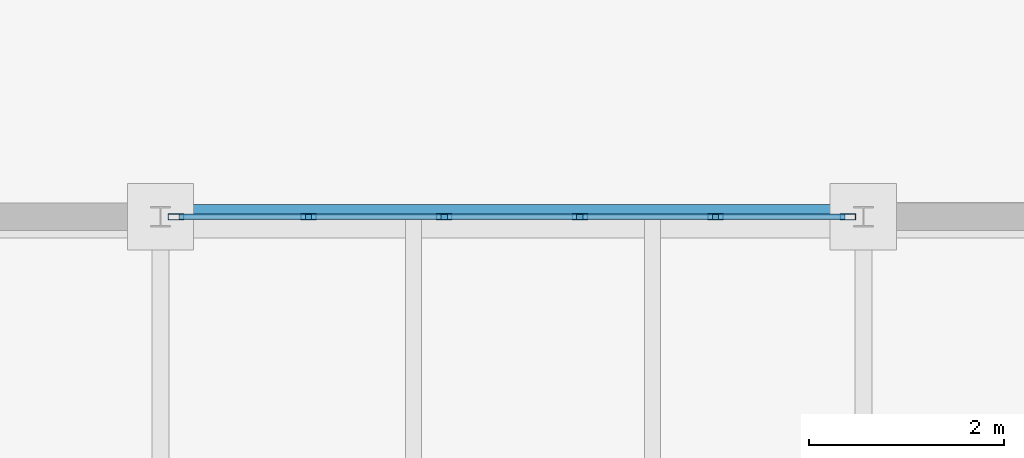
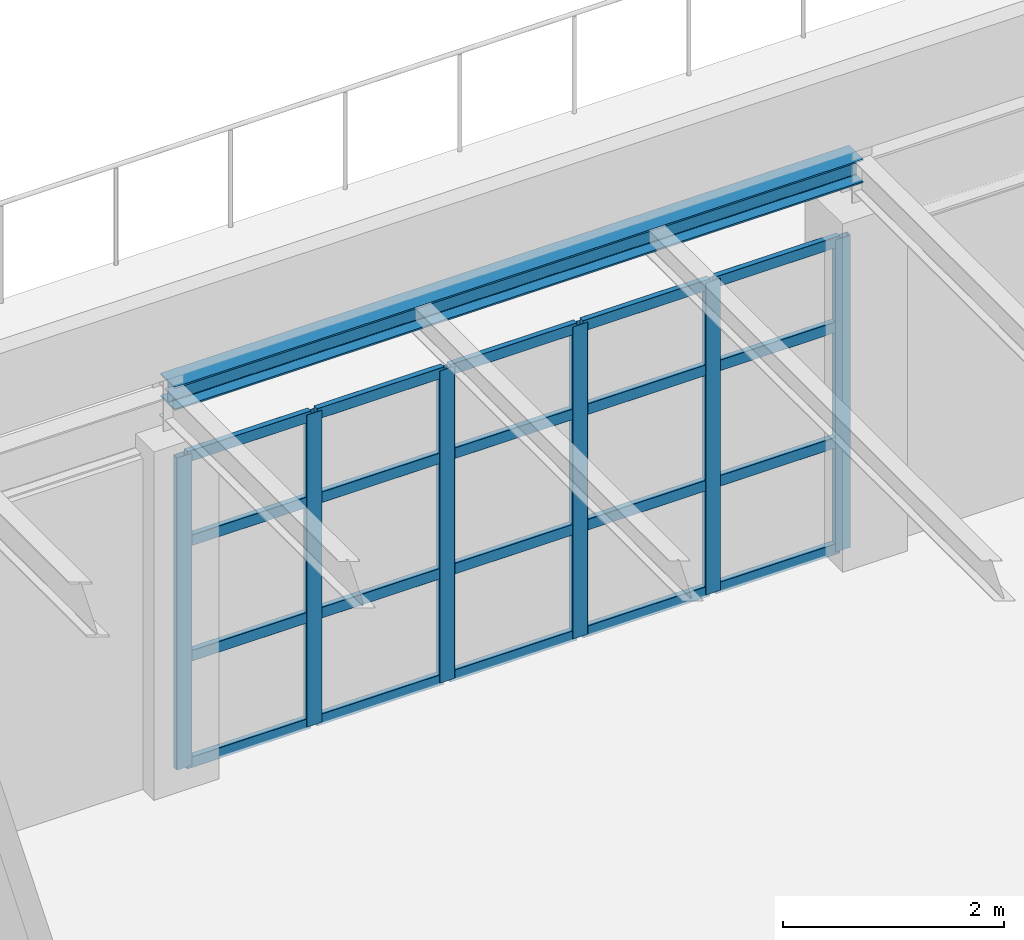
# One storey, part 33 of 43: 26 members, 1 beam, 1 element without a shape of its own.
"""IFC4 building model written with IfcOpenShell, lengths in metres."""

from ifc_helpers import new_model, si_unit, direction, frame, origin, origin_2d, place, context, subcontext, project, spatial, hollow_rectangle, i_section, extrude, material, layer, layer_set, material_profile, profile_set, type_object, element, aggregate, save


model = new_model("IFC4")

# Units and contexts
model_context = context("Model", 3, precision=1e-05, world=origin(), true_north=direction((0.0, 1.0)))
body_context = subcontext(model_context, "Body", "Model", "MODEL_VIEW")
ifc_project = project(units=[si_unit("LENGTHUNIT", "METRE"), si_unit("AREAUNIT", "SQUARE_METRE"), si_unit("VOLUMEUNIT", "CUBIC_METRE"), si_unit("PLANEANGLEUNIT", "RADIAN"), si_unit("MASSUNIT", "GRAM", prefix="KILO")], contexts=[model_context])

# Site, building, storey
site_placement = place(None, origin())
site = spatial("IfcSite", under=ifc_project, at=site_placement, CompositionType="ELEMENT")
building_placement = place(site_placement, origin())
building = spatial("IfcBuilding", under=site, at=building_placement, Name="Kemerveld Promenade Tramway Depot", CompositionType="ELEMENT")
storey_placement = place(building_placement, frame((0.0, 0.0, 18.89990234375)))
storey = spatial("IfcBuildingStorey", under=building, at=storey_placement, Name="L04", CompositionType="ELEMENT", Elevation=18.89990234375)

# Beam
ifc_material_1 = material(Name="Steel S355", Category="steel")
ifc_material_profile_1 = material_profile(ifc_material_1, i_section(OverallWidth=0.25634765625, OverallDepth=0.26025390625, WebThickness=0.01025390625, FlangeThickness=0.017333984375, FilletRadius=0.0126953125, at=origin_2d()), Name="254x254x89 UC")
ifc_profile_set_1 = profile_set([ifc_material_profile_1], Name="Steel S355")
beam_type = type_object("IfcBeamType", Name="BM-LN4", PredefinedType="LINTEL", material=ifc_profile_set_1)
beam_placement = place(storey_placement, frame((21.60009765625, 57.60009765625, 4.18994140625), z_axis=(1.0, 0.0, 0.0), x_axis=(0.0, 1.0, 0.0)))
element("IfcBeam", 1, at=beam_placement, inside=storey, type_object=beam_type, Name="BMX-L04-04-05-J", PredefinedType="LINTEL", context=body_context, shape_type="SweptSolid", body=[
    extrude(i_section(OverallWidth=0.25634765625, OverallDepth=0.26025390625, WebThickness=0.01025390625, FlangeThickness=0.017333984375, FilletRadius=0.0126953125, at=origin_2d()), origin(), (0.0, 0.0, 1.0), 7.199951171875),
])

# Curtain wall, members
ifc_material_2 = material(Name="Bronze anodised aluminium and solar glass", Category="aluminium")
ifc_layer = layer(ifc_material_2, 0.159912109375)
ifc_layer_set = layer_set([ifc_layer], Name="CW-SYS-07")
curtain_wall_type = type_object("IfcCurtainWallType", Name="CW-SYS-07", PredefinedType="USERDEFINED", material=ifc_layer_set)
curtain_wall_placement = place(storey_placement, origin())
curtain_wall = element("IfcCurtainWall", 2, at=curtain_wall_placement, inside=storey, type_object=curtain_wall_type, Name="CW-L04-V5N-04", ObjectType="GLAZED_CURTAIN_WALL", PredefinedType="USERDEFINED")
ifc_material_3 = material(Name="Bronze anodised aluminium", Category="aluminium")
ifc_material_profile_2 = material_profile(ifc_material_3, hollow_rectangle(XDim=0.06494140625, YDim=0.159912109375, WallThickness=0.00390625, InnerFilletRadius=0.001953125, OuterFilletRadius=0.00390625, at=origin_2d()), Name="CW-MUL-160x65")
ifc_profile_set_2 = profile_set([ifc_material_profile_2], Name="Bronze anodised aluminium")
member_type_1 = type_object("IfcMemberType", Name="CW-MUL-A", PredefinedType="MULLION", material=ifc_profile_set_2)
member_1_placement = place(storey_placement, frame((21.75732421875, 57.60009765625, 0.0), z_axis=(0.0, 0.0, 1.0), x_axis=(0.0, 1.0, 0.0)))
member_1 = element("IfcMember", 3, at=member_1_placement, type_object=member_type_1, Name="CW07 mullion 1", PredefinedType="MULLION", context=body_context, shape_type="SweptSolid", body=[
    extrude(hollow_rectangle(XDim=0.06494140625, YDim=0.159912109375, WallThickness=0.00390625, InnerFilletRadius=0.001953125, OuterFilletRadius=0.00390625, at=origin_2d()), origin(), (0.0, 0.0, 1.0), 3.44921875),
])
member_2_placement = place(storey_placement, frame((23.114990234375, 57.60009765625, 0.0), z_axis=(0.0, 0.0, 1.0), x_axis=(0.0, 1.0, 0.0)))
member_2 = element("IfcMember", 4, at=member_2_placement, type_object=member_type_1, Name="CW07 mullion 2", PredefinedType="MULLION", context=body_context, shape_type="SweptSolid", body=[
    extrude(hollow_rectangle(XDim=0.06494140625, YDim=0.159912109375, WallThickness=0.00390625, InnerFilletRadius=0.001953125, OuterFilletRadius=0.00390625, at=origin_2d()), origin(), (0.0, 0.0, 1.0), 3.44921875),
])
member_3_placement = place(storey_placement, frame((24.5048828125, 57.60009765625, 0.0), z_axis=(0.0, 0.0, 1.0), x_axis=(0.0, 1.0, 0.0)))
member_3 = element("IfcMember", 5, at=member_3_placement, type_object=member_type_1, Name="CW07 mullion 3", PredefinedType="MULLION", context=body_context, shape_type="SweptSolid", body=[
    extrude(hollow_rectangle(XDim=0.06494140625, YDim=0.159912109375, WallThickness=0.00390625, InnerFilletRadius=0.001953125, OuterFilletRadius=0.00390625, at=origin_2d()), origin(), (0.0, 0.0, 1.0), 3.44921875),
])
member_4_placement = place(storey_placement, frame((25.89501953125, 57.60009765625, 0.0), z_axis=(0.0, 0.0, 1.0), x_axis=(0.0, 1.0, 0.0)))
member_4 = element("IfcMember", 6, at=member_4_placement, type_object=member_type_1, Name="CW07 mullion 4", PredefinedType="MULLION", context=body_context, shape_type="SweptSolid", body=[
    extrude(hollow_rectangle(XDim=0.06494140625, YDim=0.159912109375, WallThickness=0.00390625, InnerFilletRadius=0.001953125, OuterFilletRadius=0.00390625, at=origin_2d()), origin(), (0.0, 0.0, 1.0), 3.44921875),
])
member_5_placement = place(storey_placement, frame((27.28515625, 57.60009765625, 0.0), z_axis=(0.0, 0.0, 1.0), x_axis=(0.0, 1.0, 0.0)))
member_5 = element("IfcMember", 7, at=member_5_placement, type_object=member_type_1, Name="CW07 mullion 5", PredefinedType="MULLION", context=body_context, shape_type="SweptSolid", body=[
    extrude(hollow_rectangle(XDim=0.06494140625, YDim=0.159912109375, WallThickness=0.00390625, InnerFilletRadius=0.001953125, OuterFilletRadius=0.00390625, at=origin_2d()), origin(), (0.0, 0.0, 1.0), 3.44921875),
])
member_6_placement = place(storey_placement, frame((28.642578125, 57.60009765625, 0.0), z_axis=(0.0, 0.0, 1.0), x_axis=(0.0, 1.0, 0.0)))
member_6 = element("IfcMember", 8, at=member_6_placement, type_object=member_type_1, Name="CW07 mullion 6", PredefinedType="MULLION", context=body_context, shape_type="SweptSolid", body=[
    extrude(hollow_rectangle(XDim=0.06494140625, YDim=0.159912109375, WallThickness=0.00390625, InnerFilletRadius=0.001953125, OuterFilletRadius=0.00390625, at=origin_2d()), origin(), (0.0, 0.0, 1.0), 3.44921875),
])
ifc_material_profile_3 = material_profile(ifc_material_3, hollow_rectangle(XDim=0.06005859375, YDim=0.1201171875, WallThickness=0.00390625, InnerFilletRadius=0.001953125, OuterFilletRadius=0.00390625, at=origin_2d()), Name="CW-TRN-120x60")
ifc_profile_set_3 = profile_set([ifc_material_profile_3], Name="Bronze anodised aluminium")
member_type_2 = type_object("IfcMemberType", Name="CW-TRN-A", PredefinedType="USERDEFINED", material=ifc_profile_set_3)
member_7_placement = place(storey_placement, frame((21.789794921875, 57.60009765625, 0.030029296875), z_axis=(1.0, 0.0, 0.0), x_axis=(0.0, 1.0, 0.0)))
member_7 = element("IfcMember", 9, at=member_7_placement, type_object=member_type_2, Name="CW07 transom 1.1", ObjectType="TRANSOM", PredefinedType="USERDEFINED", context=body_context, shape_type="SweptSolid", body=[
    extrude(hollow_rectangle(XDim=0.06005859375, YDim=0.1201171875, WallThickness=0.00390625, InnerFilletRadius=0.001953125, OuterFilletRadius=0.00390625, at=origin_2d()), origin(), (0.0, 0.0, 1.0), 1.29248046875),
])
member_8_placement = place(storey_placement, frame((21.789794921875, 57.60009765625, 1.20703125), z_axis=(1.0, 0.0, 0.0), x_axis=(0.0, 1.0, 0.0)))
member_8 = element("IfcMember", 10, at=member_8_placement, type_object=member_type_2, Name="CW07 transom 1.2", ObjectType="TRANSOM", PredefinedType="USERDEFINED", context=body_context, shape_type="SweptSolid", body=[
    extrude(hollow_rectangle(XDim=0.06005859375, YDim=0.1201171875, WallThickness=0.00390625, InnerFilletRadius=0.001953125, OuterFilletRadius=0.00390625, at=origin_2d()), origin(), (0.0, 0.0, 1.0), 1.29248046875),
])
member_9_placement = place(storey_placement, frame((21.789794921875, 57.60009765625, 2.483154296875), z_axis=(1.0, 0.0, 0.0), x_axis=(0.0, 1.0, 0.0)))
member_9 = element("IfcMember", 11, at=member_9_placement, type_object=member_type_2, Name="CW07 transom 1.3", ObjectType="TRANSOM", PredefinedType="USERDEFINED", context=body_context, shape_type="SweptSolid", body=[
    extrude(hollow_rectangle(XDim=0.06005859375, YDim=0.1201171875, WallThickness=0.00390625, InnerFilletRadius=0.001953125, OuterFilletRadius=0.00390625, at=origin_2d()), origin(), (0.0, 0.0, 1.0), 1.29248046875),
])
member_10_placement = place(storey_placement, frame((21.789794921875, 57.60009765625, 3.419189453125), z_axis=(1.0, 0.0, 0.0), x_axis=(0.0, 1.0, 0.0)))
member_10 = element("IfcMember", 12, at=member_10_placement, type_object=member_type_2, Name="CW07 transom 1.4", ObjectType="TRANSOM", PredefinedType="USERDEFINED", context=body_context, shape_type="SweptSolid", body=[
    extrude(hollow_rectangle(XDim=0.06005859375, YDim=0.1201171875, WallThickness=0.00390625, InnerFilletRadius=0.001953125, OuterFilletRadius=0.00390625, at=origin_2d()), origin(), (0.0, 0.0, 1.0), 1.29248046875),
])
member_11_placement = place(storey_placement, frame((23.1474609375, 57.60009765625, 0.030029296875), z_axis=(1.0, 0.0, 0.0), x_axis=(0.0, 1.0, 0.0)))
member_11 = element("IfcMember", 13, at=member_11_placement, type_object=member_type_2, Name="CW07 transom 2.1", ObjectType="TRANSOM", PredefinedType="USERDEFINED", context=body_context, shape_type="SweptSolid", body=[
    extrude(hollow_rectangle(XDim=0.06005859375, YDim=0.1201171875, WallThickness=0.00390625, InnerFilletRadius=0.001953125, OuterFilletRadius=0.00390625, at=origin_2d()), origin(), (0.0, 0.0, 1.0), 1.324951171875),
])
member_12_placement = place(storey_placement, frame((23.1474609375, 57.60009765625, 1.20703125), z_axis=(1.0, 0.0, 0.0), x_axis=(0.0, 1.0, 0.0)))
member_12 = element("IfcMember", 14, at=member_12_placement, type_object=member_type_2, Name="CW07 transom 2.2", ObjectType="TRANSOM", PredefinedType="USERDEFINED", context=body_context, shape_type="SweptSolid", body=[
    extrude(hollow_rectangle(XDim=0.06005859375, YDim=0.1201171875, WallThickness=0.00390625, InnerFilletRadius=0.001953125, OuterFilletRadius=0.00390625, at=origin_2d()), origin(), (0.0, 0.0, 1.0), 1.324951171875),
])
member_13_placement = place(storey_placement, frame((23.1474609375, 57.60009765625, 2.483154296875), z_axis=(1.0, 0.0, 0.0), x_axis=(0.0, 1.0, 0.0)))
member_13 = element("IfcMember", 15, at=member_13_placement, type_object=member_type_2, Name="CW07 transom 2.3", ObjectType="TRANSOM", PredefinedType="USERDEFINED", context=body_context, shape_type="SweptSolid", body=[
    extrude(hollow_rectangle(XDim=0.06005859375, YDim=0.1201171875, WallThickness=0.00390625, InnerFilletRadius=0.001953125, OuterFilletRadius=0.00390625, at=origin_2d()), origin(), (0.0, 0.0, 1.0), 1.324951171875),
])
member_14_placement = place(storey_placement, frame((23.1474609375, 57.60009765625, 3.419189453125), z_axis=(1.0, 0.0, 0.0), x_axis=(0.0, 1.0, 0.0)))
member_14 = element("IfcMember", 16, at=member_14_placement, type_object=member_type_2, Name="CW07 transom 2.4", ObjectType="TRANSOM", PredefinedType="USERDEFINED", context=body_context, shape_type="SweptSolid", body=[
    extrude(hollow_rectangle(XDim=0.06005859375, YDim=0.1201171875, WallThickness=0.00390625, InnerFilletRadius=0.001953125, OuterFilletRadius=0.00390625, at=origin_2d()), origin(), (0.0, 0.0, 1.0), 1.324951171875),
])
member_15_placement = place(storey_placement, frame((24.537353515625, 57.60009765625, 0.030029296875), z_axis=(1.0, 0.0, 0.0), x_axis=(0.0, 1.0, 0.0)))
member_15 = element("IfcMember", 17, at=member_15_placement, type_object=member_type_2, Name="CW07 transom 3.1", ObjectType="TRANSOM", PredefinedType="USERDEFINED", context=body_context, shape_type="SweptSolid", body=[
    extrude(hollow_rectangle(XDim=0.06005859375, YDim=0.1201171875, WallThickness=0.00390625, InnerFilletRadius=0.001953125, OuterFilletRadius=0.00390625, at=origin_2d()), origin(), (0.0, 0.0, 1.0), 1.3251953125),
])
member_16_placement = place(storey_placement, frame((24.537353515625, 57.60009765625, 1.20703125), z_axis=(1.0, 0.0, 0.0), x_axis=(0.0, 1.0, 0.0)))
member_16 = element("IfcMember", 18, at=member_16_placement, type_object=member_type_2, Name="CW07 transom 3.2", ObjectType="TRANSOM", PredefinedType="USERDEFINED", context=body_context, shape_type="SweptSolid", body=[
    extrude(hollow_rectangle(XDim=0.06005859375, YDim=0.1201171875, WallThickness=0.00390625, InnerFilletRadius=0.001953125, OuterFilletRadius=0.00390625, at=origin_2d()), origin(), (0.0, 0.0, 1.0), 1.3251953125),
])
member_17_placement = place(storey_placement, frame((24.537353515625, 57.60009765625, 2.483154296875), z_axis=(1.0, 0.0, 0.0), x_axis=(0.0, 1.0, 0.0)))
member_17 = element("IfcMember", 19, at=member_17_placement, type_object=member_type_2, Name="CW07 transom 3.3", ObjectType="TRANSOM", PredefinedType="USERDEFINED", context=body_context, shape_type="SweptSolid", body=[
    extrude(hollow_rectangle(XDim=0.06005859375, YDim=0.1201171875, WallThickness=0.00390625, InnerFilletRadius=0.001953125, OuterFilletRadius=0.00390625, at=origin_2d()), origin(), (0.0, 0.0, 1.0), 1.3251953125),
])
member_18_placement = place(storey_placement, frame((24.537353515625, 57.60009765625, 3.419189453125), z_axis=(1.0, 0.0, 0.0), x_axis=(0.0, 1.0, 0.0)))
member_18 = element("IfcMember", 20, at=member_18_placement, type_object=member_type_2, Name="CW07 transom 3.4", ObjectType="TRANSOM", PredefinedType="USERDEFINED", context=body_context, shape_type="SweptSolid", body=[
    extrude(hollow_rectangle(XDim=0.06005859375, YDim=0.1201171875, WallThickness=0.00390625, InnerFilletRadius=0.001953125, OuterFilletRadius=0.00390625, at=origin_2d()), origin(), (0.0, 0.0, 1.0), 1.3251953125),
])
member_19_placement = place(storey_placement, frame((25.927490234375, 57.60009765625, 0.030029296875), z_axis=(1.0, 0.0, 0.0), x_axis=(0.0, 1.0, 0.0)))
member_19 = element("IfcMember", 21, at=member_19_placement, type_object=member_type_2, Name="CW07 transom 4.1", ObjectType="TRANSOM", PredefinedType="USERDEFINED", context=body_context, shape_type="SweptSolid", body=[
    extrude(hollow_rectangle(XDim=0.06005859375, YDim=0.1201171875, WallThickness=0.00390625, InnerFilletRadius=0.001953125, OuterFilletRadius=0.00390625, at=origin_2d()), origin(), (0.0, 0.0, 1.0), 1.3251953125),
])
member_20_placement = place(storey_placement, frame((25.927490234375, 57.60009765625, 1.20703125), z_axis=(1.0, 0.0, 0.0), x_axis=(0.0, 1.0, 0.0)))
member_20 = element("IfcMember", 22, at=member_20_placement, type_object=member_type_2, Name="CW07 transom 4.2", ObjectType="TRANSOM", PredefinedType="USERDEFINED", context=body_context, shape_type="SweptSolid", body=[
    extrude(hollow_rectangle(XDim=0.06005859375, YDim=0.1201171875, WallThickness=0.00390625, InnerFilletRadius=0.001953125, OuterFilletRadius=0.00390625, at=origin_2d()), origin(), (0.0, 0.0, 1.0), 1.3251953125),
])
member_21_placement = place(storey_placement, frame((25.927490234375, 57.60009765625, 2.483154296875), z_axis=(1.0, 0.0, 0.0), x_axis=(0.0, 1.0, 0.0)))
member_21 = element("IfcMember", 23, at=member_21_placement, type_object=member_type_2, Name="CW07 transom 4.3", ObjectType="TRANSOM", PredefinedType="USERDEFINED", context=body_context, shape_type="SweptSolid", body=[
    extrude(hollow_rectangle(XDim=0.06005859375, YDim=0.1201171875, WallThickness=0.00390625, InnerFilletRadius=0.001953125, OuterFilletRadius=0.00390625, at=origin_2d()), origin(), (0.0, 0.0, 1.0), 1.3251953125),
])
member_22_placement = place(storey_placement, frame((25.927490234375, 57.60009765625, 3.419189453125), z_axis=(1.0, 0.0, 0.0), x_axis=(0.0, 1.0, 0.0)))
member_22 = element("IfcMember", 24, at=member_22_placement, type_object=member_type_2, Name="CW07 transom 4.4", ObjectType="TRANSOM", PredefinedType="USERDEFINED", context=body_context, shape_type="SweptSolid", body=[
    extrude(hollow_rectangle(XDim=0.06005859375, YDim=0.1201171875, WallThickness=0.00390625, InnerFilletRadius=0.001953125, OuterFilletRadius=0.00390625, at=origin_2d()), origin(), (0.0, 0.0, 1.0), 1.3251953125),
])
member_23_placement = place(storey_placement, frame((27.317626953125, 57.60009765625, 0.030029296875), z_axis=(1.0, 0.0, 0.0), x_axis=(0.0, 1.0, 0.0)))
member_23 = element("IfcMember", 25, at=member_23_placement, type_object=member_type_2, Name="CW07 transom 5.1", ObjectType="TRANSOM", PredefinedType="USERDEFINED", context=body_context, shape_type="SweptSolid", body=[
    extrude(hollow_rectangle(XDim=0.06005859375, YDim=0.1201171875, WallThickness=0.00390625, InnerFilletRadius=0.001953125, OuterFilletRadius=0.00390625, at=origin_2d()), origin(), (0.0, 0.0, 1.0), 1.29248046875),
])
member_24_placement = place(storey_placement, frame((27.317626953125, 57.60009765625, 1.20703125), z_axis=(1.0, 0.0, 0.0), x_axis=(0.0, 1.0, 0.0)))
member_24 = element("IfcMember", 26, at=member_24_placement, type_object=member_type_2, Name="CW07 transom 5.2", ObjectType="TRANSOM", PredefinedType="USERDEFINED", context=body_context, shape_type="SweptSolid", body=[
    extrude(hollow_rectangle(XDim=0.06005859375, YDim=0.1201171875, WallThickness=0.00390625, InnerFilletRadius=0.001953125, OuterFilletRadius=0.00390625, at=origin_2d()), origin(), (0.0, 0.0, 1.0), 1.29248046875),
])
member_25_placement = place(storey_placement, frame((27.317626953125, 57.60009765625, 2.483154296875), z_axis=(1.0, 0.0, 0.0), x_axis=(0.0, 1.0, 0.0)))
member_25 = element("IfcMember", 27, at=member_25_placement, type_object=member_type_2, Name="CW07 transom 5.3", ObjectType="TRANSOM", PredefinedType="USERDEFINED", context=body_context, shape_type="SweptSolid", body=[
    extrude(hollow_rectangle(XDim=0.06005859375, YDim=0.1201171875, WallThickness=0.00390625, InnerFilletRadius=0.001953125, OuterFilletRadius=0.00390625, at=origin_2d()), origin(), (0.0, 0.0, 1.0), 1.29248046875),
])
member_26_placement = place(storey_placement, frame((27.317626953125, 57.60009765625, 3.419189453125), z_axis=(1.0, 0.0, 0.0), x_axis=(0.0, 1.0, 0.0)))
member_26 = element("IfcMember", 28, at=member_26_placement, type_object=member_type_2, Name="CW07 transom 5.4", ObjectType="TRANSOM", PredefinedType="USERDEFINED", context=body_context, shape_type="SweptSolid", body=[
    extrude(hollow_rectangle(XDim=0.06005859375, YDim=0.1201171875, WallThickness=0.00390625, InnerFilletRadius=0.001953125, OuterFilletRadius=0.00390625, at=origin_2d()), origin(), (0.0, 0.0, 1.0), 1.29248046875),
])
aggregate(curtain_wall, [member_1, member_2, member_3, member_4, member_5, member_6, member_7, member_8, member_9, member_10, member_11, member_12, member_13, member_14, member_15, member_16, member_17, member_18, member_19, member_20, member_21, member_22, member_23, member_24, member_25, member_26])

save(model, "model.ifc")
